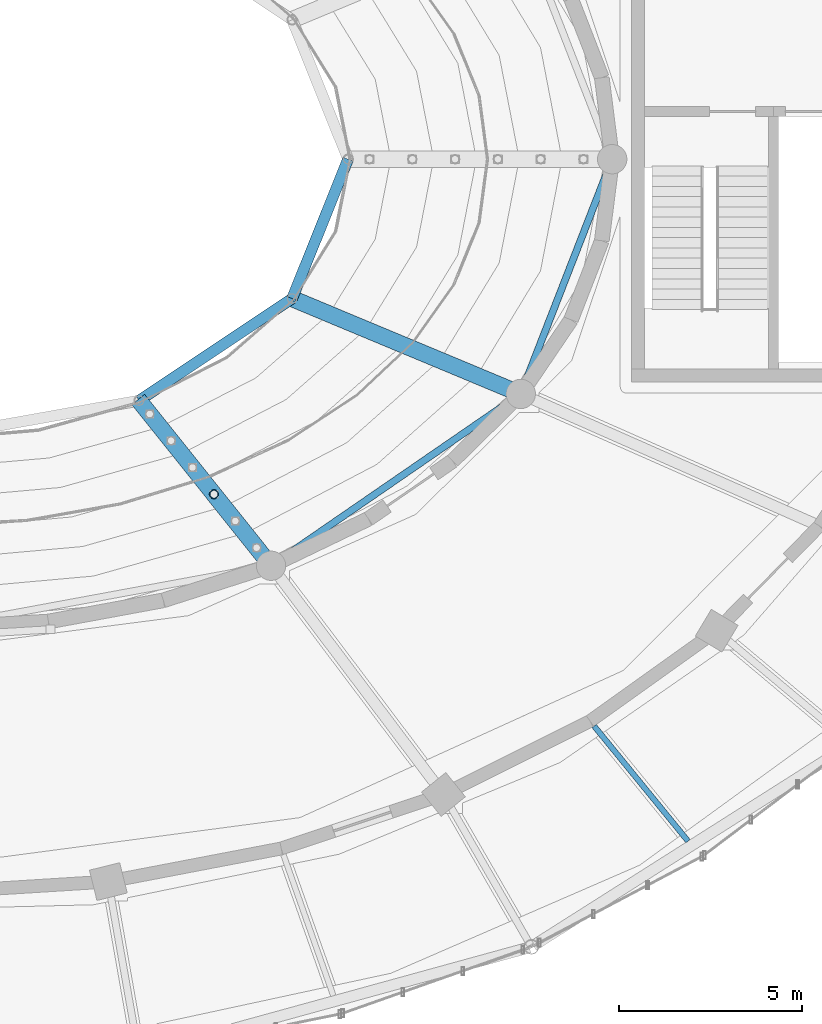
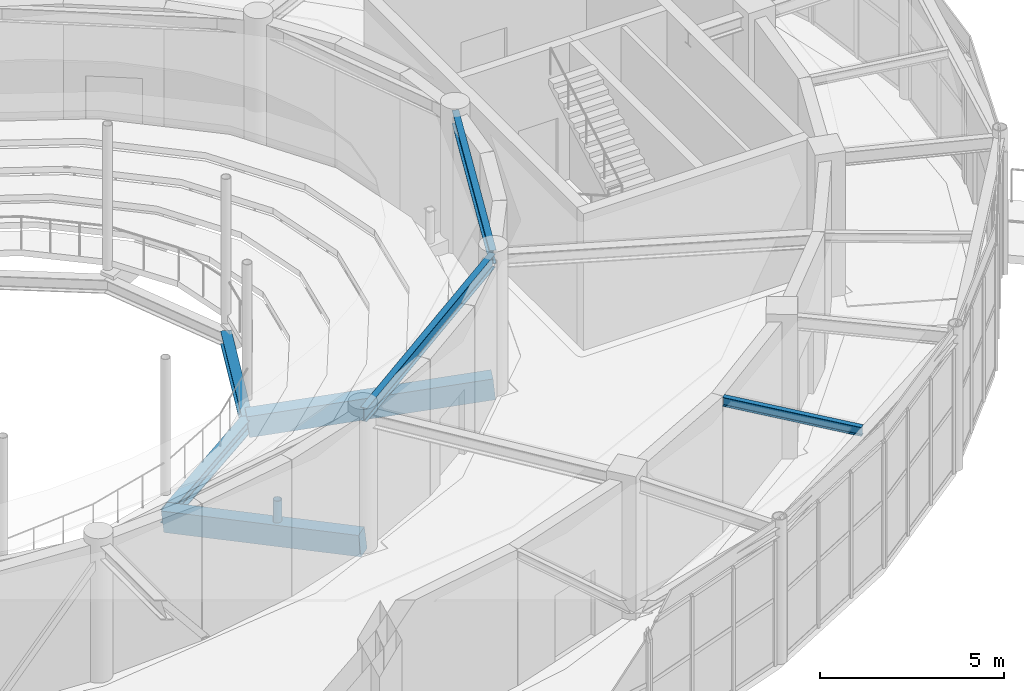
# One storey, part 38 of 100: 7 beams, 1 member.
"""IFC4 building model written with IfcOpenShell, lengths in metres."""

import ifcopenshell
import ifcopenshell.guid

model = None  # the IFC model being written
_history = None  # IfcOwnerHistory: only IFC2X3 demands one
_inside = {}  # id of a spatial element -> (the spatial element, [elements in it])
_under = {}  # id of a project, library or spatial element -> (it, [spatial elements below it])
_declared = {}  # id of a project -> (the project, [libraries it declares])
_typed = {}  # id of a type object -> (the type object, [elements of that type])
_made_of = {}  # id of a material, layer set ... -> (it, [elements and type objects made of it])


def new_model(schema):
    """Start an empty IFC model of exactly this schema.

    Asked for "IFC4X3", IfcOpenShell would pick the latest addendum, in which some entities
    have other attributes; the version numbers below select the first issue.
    IFC2X3 requires an IfcOwnerHistory on every rooted entity: one is made here for all.
    """
    global model, _history
    if schema == "IFC4X3":
        model = ifcopenshell.file(schema_version=(4, 3, 0, 0))
    else:
        model = ifcopenshell.file(schema=schema)
    _inside.clear()
    _under.clear()
    _declared.clear()
    _typed.clear()
    _made_of.clear()
    _history = None
    if model.schema == "IFC2X3":
        org = make("IfcOrganization", Name="unknown")
        user = make(
            "IfcPersonAndOrganization",
            ThePerson=make("IfcPerson", FamilyName="unknown"),
            TheOrganization=org,
        )
        app = make(
            "IfcApplication",
            ApplicationDeveloper=org,
            Version="unknown",
            ApplicationFullName="unknown",
            ApplicationIdentifier="unknown",
        )
        _history = make(
            "IfcOwnerHistory",
            OwningUser=user,
            OwningApplication=app,
            ChangeAction="ADDED",
            CreationDate=0,
        )
    return model


def make(cls, **values):
    """One entity of the class cls with the attributes given. An attribute that is None is left unset."""
    return model.create_entity(
        cls, **{name: value for name, value in values.items() if value is not None}
    )


def rooted(cls, **values):
    """An entity with a GlobalId (a new one), such as an element, a storey or a relation."""
    return make(cls, GlobalId=ifcopenshell.guid.new(), OwnerHistory=_history, **values)


def si_unit(unit_type, name, prefix=None):
    """IfcSIUnit, for example si_unit("LENGTHUNIT", "METRE", prefix="MILLI")."""
    return make("IfcSIUnit", UnitType=unit_type, Prefix=prefix, Name=name)


def assignment(units):
    """IfcUnitAssignment: the units of a project."""
    return None if units is None else make("IfcUnitAssignment", Units=units)


def point(xyz):
    """IfcCartesianPoint."""
    return None if xyz is None else make("IfcCartesianPoint", Coordinates=xyz)


def direction(xyz):
    """IfcDirection."""
    return None if xyz is None else make("IfcDirection", DirectionRatios=xyz)


def frame(location, z_axis=None, x_axis=None):
    """IfcAxis2Placement3D, a coordinate frame: its origin and axes. An axis left out is left unset."""
    return make(
        "IfcAxis2Placement3D",
        Location=point(location),
        Axis=direction(z_axis),
        RefDirection=direction(x_axis),
    )


def frame_2d(location, x_axis=None):
    """IfcAxis2Placement2D, a coordinate frame in the plane: its origin and x axis."""
    return make(
        "IfcAxis2Placement2D", Location=point(location), RefDirection=direction(x_axis)
    )


def origin():
    """The frame at (0, 0, 0) with its axes left unset."""
    return frame((0.0, 0.0, 0.0))


def origin_2d():
    """The frame at (0, 0) in the plane with its x axis left unset."""
    return frame_2d((0.0, 0.0))


def place(relative_to, where):
    """IfcLocalPlacement: puts the frame where relative to a parent placement (None: the world)."""
    return make(
        "IfcLocalPlacement", PlacementRelTo=relative_to, RelativePlacement=where
    )


def context(
    kind, dimensions, precision=None, world=None, true_north=None, identifier=None
):
    """IfcGeometricRepresentationContext, for example the 3D "Model" context."""
    return make(
        "IfcGeometricRepresentationContext",
        ContextIdentifier=identifier,
        ContextType=kind,
        CoordinateSpaceDimension=dimensions,
        Precision=precision,
        WorldCoordinateSystem=world,
        TrueNorth=true_north,
    )


def subcontext(parent, identifier, kind, view, scale=None):
    """IfcGeometricRepresentationSubContext, for example "Body" below "Model"."""
    return make(
        "IfcGeometricRepresentationSubContext",
        ContextIdentifier=identifier,
        ContextType=kind,
        ParentContext=parent,
        TargetScale=scale,
        TargetView=view,
    )


def project(units=None, contexts=None):
    """IfcProject with its units and contexts."""
    return rooted(
        "IfcProject",
        Name="project",
        RepresentationContexts=contexts,
        UnitsInContext=assignment(units),
    )


def spatial(cls, under=None, at=None, **own):
    """A site, building, storey or space (cls), placed at a placement, below another one or the project."""
    s = rooted(cls, ObjectPlacement=at, **own)
    if under is not None:
        _under.setdefault(under.id(), (under, []))[1].append(s)
    return s


def profile(cls, at=None, kind="AREA", **sizes):
    """A parametric profile (cls). Its sizes go by their IFC names, for example OverallWidth=200.0."""
    return make(cls, ProfileType=kind, Position=at, **sizes)


def rectangle(**sizes):
    """IfcRectangleProfileDef."""
    return profile("IfcRectangleProfileDef", **sizes)


def hollow_circle(**sizes):
    """IfcCircleHollowProfileDef."""
    return profile("IfcCircleHollowProfileDef", **sizes)


def i_section(**sizes):
    """IfcIShapeProfileDef."""
    return profile("IfcIShapeProfileDef", **sizes)


def extrude(swept, where, along, depth):
    """IfcExtrudedAreaSolid: the profile swept, set in the frame where, extruded along a direction by depth."""
    return make(
        "IfcExtrudedAreaSolid",
        SweptArea=swept,
        Position=where,
        ExtrudedDirection=direction(along),
        Depth=depth,
    )


def shape(context_of_items, identifier, shape_type, items):
    """IfcShapeRepresentation: the items that make up one representation, for example the "Body"."""
    return make(
        "IfcShapeRepresentation",
        ContextOfItems=context_of_items,
        RepresentationIdentifier=identifier,
        RepresentationType=shape_type,
        Items=items,
    )


def material(Name=None, Category=None):
    """IfcMaterial."""
    return make("IfcMaterial", Name=Name, Category=Category)


def material_profile(
    of_material, cross_section, Name=None, Category=None, Priority=None
):
    """IfcMaterialProfile: a cross section and its material."""
    return make(
        "IfcMaterialProfile",
        Name=Name,
        Material=of_material,
        Profile=cross_section,
        Priority=Priority,
        Category=Category,
    )


def profile_set(profiles, Name=None, composite=None):
    """IfcMaterialProfileSet."""
    return make(
        "IfcMaterialProfileSet",
        Name=Name,
        MaterialProfiles=profiles,
        CompositeProfile=composite,
    )


def made_of(thing, what):
    """Note that an element or type object is made of a material, layer set ...; save() writes the relation."""
    if what is not None:
        _made_of.setdefault(what.id(), (what, []))[1].append(thing)
    return thing


def type_object(cls, material=None, **own):
    """A type object (cls), such as IfcWallType, which elements share."""
    return made_of(rooted(cls, **own), material)


def element(
    cls,
    number,
    at=None,
    inside=None,
    cuts=None,
    type_object=None,
    material=None,
    context=None,
    identifier="Body",
    shape_type=None,
    held_by="IfcProductDefinitionShape",
    body=None,
    shapes=None,
    **own,
):
    """One element of the class cls, such as IfcWall. Its Tag is "e" and its number.

    at: its placement. inside: the storey or other place that contains it. cuts: it is an
    opening in that element (IfcRelVoidsElement). A single representation is given by context,
    identifier, shape_type and body (its items); several are given by shapes. held_by: the class
    of the entity that holds the representations. save() writes the other relations.
    """
    e = rooted(cls, Tag="e%d" % number, ObjectPlacement=at, **own)
    if body is not None:
        shapes = [shape(context, identifier, shape_type, body)]
    if shapes is not None:
        e.Representation = make(held_by, Representations=shapes)
    if inside is not None:
        _inside.setdefault(inside.id(), (inside, []))[1].append(e)
    if cuts is not None:
        rooted(
            "IfcRelVoidsElement", RelatingBuildingElement=cuts, RelatedOpeningElement=e
        )
    if type_object is not None:
        _typed.setdefault(type_object.id(), (type_object, []))[1].append(e)
    return made_of(e, material)


def aggregate(whole, parts):
    """IfcRelAggregates: a whole, such as a stair, and the parts it consists of."""
    return rooted("IfcRelAggregates", RelatingObject=whole, RelatedObjects=parts)


def save(model, path):
    """Write the relations noted so far, then the file.

    IfcRelAggregates (storeys below a building ...), IfcRelContainedInSpatialStructure (elements
    in a storey), IfcRelDefinesByType, IfcRelAssociatesMaterial and IfcRelDeclares: one each for
    every whole, place, type object, material and project.
    """
    for whole, parts in _under.values():
        aggregate(whole, parts)
    for where, things in _inside.values():
        rooted(
            "IfcRelContainedInSpatialStructure",
            RelatedElements=things,
            RelatingStructure=where,
        )
    for kind, things in _typed.values():
        rooted("IfcRelDefinesByType", RelatedObjects=things, RelatingType=kind)
    for what, things in _made_of.values():
        rooted("IfcRelAssociatesMaterial", RelatedObjects=things, RelatingMaterial=what)
    for by, libraries in _declared.values():
        rooted("IfcRelDeclares", RelatingContext=by, RelatedDefinitions=libraries)
    model.write(path)


model = new_model("IFC4")

# Units and contexts
model_context = context("Model", 3, precision=1e-05, world=origin(), true_north=direction((0.0, 1.0)))
body_context = subcontext(model_context, "Body", "Model", "MODEL_VIEW")
ifc_project = project(units=[si_unit("LENGTHUNIT", "METRE"), si_unit("AREAUNIT", "SQUARE_METRE"), si_unit("VOLUMEUNIT", "CUBIC_METRE"), si_unit("PLANEANGLEUNIT", "RADIAN"), si_unit("MASSUNIT", "GRAM", prefix="KILO")], contexts=[model_context])

# Site, building, storey
site_placement = place(None, origin())
site = spatial("IfcSite", under=ifc_project, at=site_placement, CompositionType="ELEMENT")
building_placement = place(site_placement, origin())
building = spatial("IfcBuilding", under=site, at=building_placement, Name="Tarnveldt Headland Concert Hall", CompositionType="ELEMENT")
storey_placement = place(building_placement, frame((0.0, 0.0, 4.800048828125)))
storey = spatial("IfcBuildingStorey", under=building, at=storey_placement, Name="L01", CompositionType="ELEMENT", Elevation=4.800048828125)

# Beams
ifc_material_1 = material(Name="Concrete C40/50", Category="concrete")
ifc_material_profile_1 = material_profile(ifc_material_1, rectangle(XDim=0.449951171875, YDim=0.699951171875, at=origin_2d()), Name="RAKER RC 450x700", Category="concrete")
ifc_profile_set_1 = profile_set([ifc_material_profile_1], Name="Concrete C40/50")
beam_type_1 = type_object("IfcBeamType", Name="RK-450x700", PredefinedType="BEAM", material=ifc_profile_set_1)
beam_1_placement = place(storey_placement, frame((92.800048828125, 43.414794921875, 0.119873046875), z_axis=(-0.62042493142, 0.776099164856, -0.1128848563), x_axis=(-0.781091844356, -0.624416151842, 0.0)))
element("IfcBeam", 1, at=beam_1_placement, inside=storey, type_object=beam_type_1, Name="Stand RAKER beam L01-11", PredefinedType="BEAM", context=body_context, shape_type="SweptSolid", body=[
    extrude(rectangle(XDim=0.449951171875, YDim=0.699951171875, at=origin_2d()), origin(), (0.0, 0.0, 1.0), 5.802734375),
])
beam_2_placement = place(storey_placement, frame((99.608154296875, 48.10009765625, 0.119873046875), z_axis=(-0.918674552277, 0.383044843665, -0.096507589027), x_axis=(-0.384841186622, -0.922982806492, 0.0)))
element("IfcBeam", 2, at=beam_2_placement, inside=storey, type_object=beam_type_1, Name="Stand RAKER beam L01-12", PredefinedType="BEAM", context=body_context, shape_type="SweptSolid", body=[
    extrude(rectangle(XDim=0.449951171875, YDim=0.699951171875, at=origin_2d()), origin(), (0.0, 0.0, 1.0), 6.787353515625),
])
ifc_material_2 = material(Name="Steel S355", Category="steel")
ifc_material_profile_2 = material_profile(ifc_material_2, i_section(OverallWidth=0.300048828125, OverallDepth=0.449951171875, WebThickness=0.013916015625, FlangeThickness=0.02587890625, FilletRadius=0.027099609375, at=origin_2d()), Name="HEB450", Category="steel")
ifc_profile_set_2 = profile_set([ifc_material_profile_2], Name="Steel S355")
beam_type_2 = type_object("IfcBeamType", Name="SB-HEB450", PredefinedType="BEAM", material=ifc_profile_set_2)
beam_3_placement = place(storey_placement, frame((89.199951171875, 47.918212890625, -0.53515625), z_axis=(0.832065272977, 0.554677727609, 0.0), x_axis=(-0.554677727609, 0.832065272977, 0.0)))
element("IfcBeam", 3, at=beam_3_placement, inside=storey, type_object=beam_type_2, Name="RAKER header beam L01-11", PredefinedType="BEAM", context=body_context, shape_type="SweptSolid", body=[
    extrude(i_section(OverallWidth=0.300048828125, OverallDepth=0.449951171875, WebThickness=0.013916015625, FlangeThickness=0.02587890625, FilletRadius=0.027099609375, at=origin_2d()), origin(), (0.0, 0.0, 1.0), 5.01513671875),
])
beam_4_placement = place(storey_placement, frame((93.372802734375, 50.699951171875, -0.53515625), z_axis=(0.372880527765, 0.927879362856, 0.0), x_axis=(-0.927879362856, 0.372880527765, 0.0)))
element("IfcBeam", 4, at=beam_4_placement, inside=storey, type_object=beam_type_2, Name="RAKER header beam L01-12", PredefinedType="BEAM", context=body_context, shape_type="SweptSolid", body=[
    extrude(i_section(OverallWidth=0.300048828125, OverallDepth=0.449951171875, WebThickness=0.013916015625, FlangeThickness=0.02587890625, FilletRadius=0.027099609375, at=origin_2d()), origin(), (0.0, 0.0, 1.0), 4.095458984375),
])
ifc_material_profile_3 = material_profile(ifc_material_2, i_section(OverallWidth=0.14990234375, OverallDepth=0.300048828125, WebThickness=0.007080078125, FlangeThickness=0.0107421875, FilletRadius=0.014892578125, at=origin_2d()), Name="IPE300", Category="steel")
ifc_profile_set_3 = profile_set([ifc_material_profile_3], Name="Steel S355")
beam_type_3 = type_object("IfcBeamType", Name="SB-IPE300", PredefinedType="JOIST", material=ifc_profile_set_3)
beam_5_placement = place(storey_placement, frame((101.608642578125, 39.04345703125, 4.389892578125), z_axis=(0.63225535632, -0.774760068928, 0.0), x_axis=(0.774760068928, 0.63225535632, 0.0)))
element("IfcBeam", 5, at=beam_5_placement, inside=storey, type_object=beam_type_3, Name="Framing beam L01-725", PredefinedType="JOIST", context=body_context, shape_type="SweptSolid", body=[
    extrude(i_section(OverallWidth=0.14990234375, OverallDepth=0.300048828125, WebThickness=0.007080078125, FlangeThickness=0.0107421875, FilletRadius=0.014892578125, at=origin_2d()), origin(), (0.0, 0.0, 1.0), 4.04833984375),
])
ifc_material_profile_4 = material_profile(ifc_material_2, i_section(OverallWidth=0.18994140625, OverallDepth=0.449951171875, WebThickness=0.009521484375, FlangeThickness=0.0146484375, FilletRadius=0.02099609375, at=origin_2d()), Name="IPE450", Category="steel")
ifc_profile_set_4 = profile_set([ifc_material_profile_4], Name="Steel S355")
beam_type_4 = type_object("IfcBeamType", Name="SB-IPE450", PredefinedType="BEAM", material=ifc_profile_set_4)
beam_6_placement = place(storey_placement, frame((92.849365234375, 43.448974609375, 4.31494140625), z_axis=(0.823792567818, 0.566891352207, 0.0), x_axis=(-0.566891352207, 0.823792567818, 0.0)))
element("IfcBeam", 6, at=beam_6_placement, inside=storey, type_object=beam_type_4, Name="Framing beam L01-753", PredefinedType="BEAM", context=body_context, shape_type="SweptSolid", body=[
    extrude(i_section(OverallWidth=0.18994140625, OverallDepth=0.449951171875, WebThickness=0.009521484375, FlangeThickness=0.0146484375, FilletRadius=0.02099609375, at=origin_2d()), origin(), (0.0, 0.0, 1.0), 8.144287109375),
])
beam_7_placement = place(storey_placement, frame((99.6298828125, 48.156005859375, 4.31494140625), z_axis=(0.362816377746, 0.931860652694, 0.0), x_axis=(-0.931860652694, 0.362816377746, 0.0)))
element("IfcBeam", 7, at=beam_7_placement, inside=storey, type_object=beam_type_4, Name="Framing beam L01-755", PredefinedType="BEAM", context=body_context, shape_type="SweptSolid", body=[
    extrude(i_section(OverallWidth=0.18994140625, OverallDepth=0.449951171875, WebThickness=0.009521484375, FlangeThickness=0.0146484375, FilletRadius=0.02099609375, at=origin_2d()), origin(), (0.0, 0.0, 1.0), 6.747802734375),
])

# Member
ifc_material_profile_5 = material_profile(ifc_material_2, hollow_circle(Radius=0.122314453125, WallThickness=0.01611328125, at=origin_2d()), Name="CHS 244.5x16", Category="steel")
ifc_profile_set_5 = profile_set([ifc_material_profile_5], Name="Steel S355")
member_type = type_object("IfcMemberType", Name="TR-CHORD244", PredefinedType="POST", material=ifc_profile_set_5)
member_placement = place(storey_placement, frame((91.24169921875, 45.3642578125, -0.16357421875), z_axis=(0.0, 0.0, 1.0), x_axis=(1.0, 0.0, 0.0)))
element("IfcMember", 8, at=member_placement, inside=storey, type_object=member_type, Name="Vineyard tier raker stool post L01-4-11", PredefinedType="POST", context=body_context, shape_type="SweptSolid", body=[
    extrude(hollow_circle(Radius=0.122314453125, WallThickness=0.01611328125, at=origin_2d()), origin(), (0.0, 0.0, 1.0), 1.07861328125),
])

save(model, "model.ifc")
